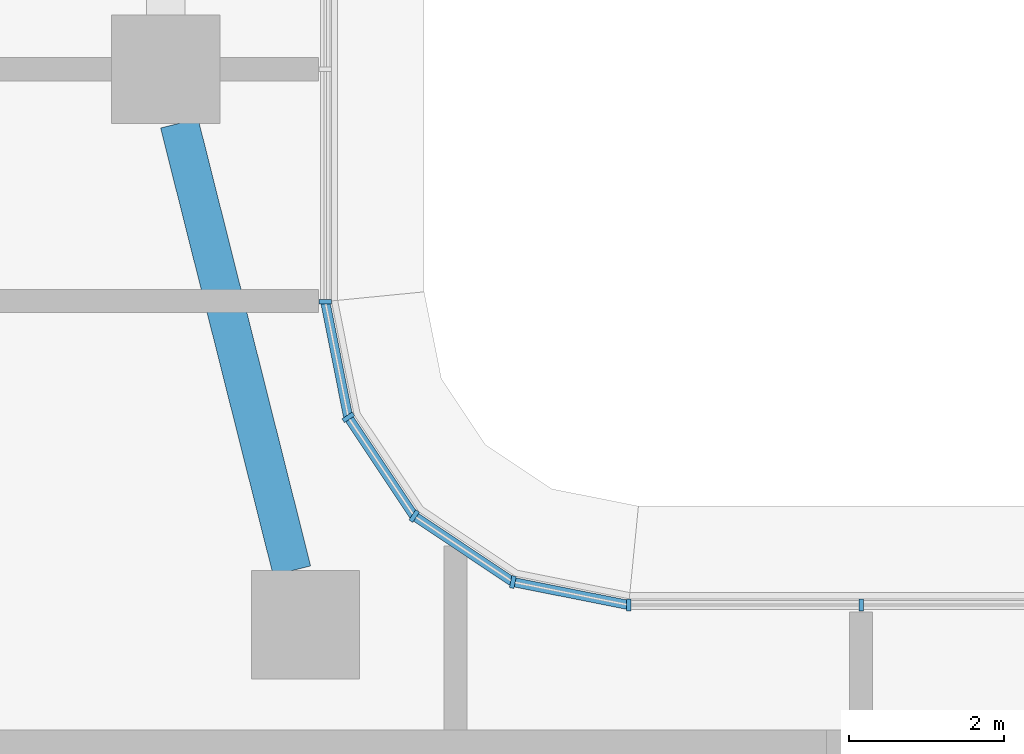
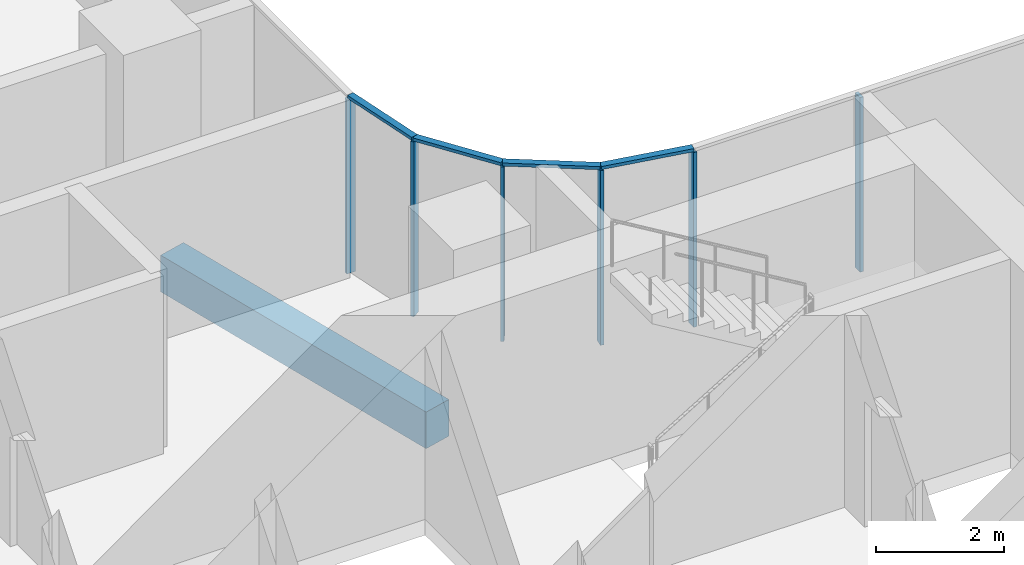
# One storey, part 2 of 36: 10 members, 1 beam, 3 elements without a shape of their own.
"""IFC4 building model written with IfcOpenShell, lengths in metres."""

from ifc_helpers import new_model, si_unit, direction, frame, origin, origin_2d, place, context, subcontext, project, spatial, rectangle, extrude, material, material_profile, profile_set, type_object, element, aggregate, save


model = new_model("IFC4")

# Units and contexts
model_context = context("Model", 3, precision=1e-05, world=origin(), true_north=direction((0.0, 1.0)))
body_context = subcontext(model_context, "Body", "Model", "MODEL_VIEW")
ifc_project = project(units=[si_unit("LENGTHUNIT", "METRE"), si_unit("AREAUNIT", "SQUARE_METRE"), si_unit("VOLUMEUNIT", "CUBIC_METRE"), si_unit("PLANEANGLEUNIT", "RADIAN"), si_unit("MASSUNIT", "GRAM", prefix="KILO")], contexts=[model_context])

# Site, building, storey
site_placement = place(None, origin())
site = spatial("IfcSite", under=ifc_project, at=site_placement, CompositionType="ELEMENT")
building_placement = place(site_placement, origin())
building = spatial("IfcBuilding", under=site, at=building_placement, Name="Ogive Portal Towers", CompositionType="ELEMENT")
storey_placement = place(building_placement, frame((0.0, 0.0, 52.0)))
storey = spatial("IfcBuildingStorey", under=building, at=storey_placement, Name="L11", CompositionType="ELEMENT", Elevation=52.0)

# Curtain wall, members
ifc_material_1 = material(Name="Glass, clear low-iron insulated glazing", Category="glass")
curtain_wall_type = type_object("IfcCurtainWallType", Name="CW FRONT RIBBON 4500", PredefinedType="NOTDEFINED", material=ifc_material_1)
curtain_wall_1_placement = place(storey_placement, origin())
curtain_wall_1 = element("IfcCurtainWall", 1, at=curtain_wall_1_placement, inside=storey, type_object=curtain_wall_type, Name="A:L11:f16:cw0", PredefinedType="NOTDEFINED")
ifc_material_2 = material(Name="Aluminium 6063 anodised", Category="aluminium")
ifc_material_profile_1 = material_profile(ifc_material_2, rectangle(XDim=0.159912109375, YDim=0.06005859375, at=origin_2d()), Name="AL 60x160")
ifc_profile_set_1 = profile_set([ifc_material_profile_1], Name="Aluminium 6063 anodised")
member_type_1 = type_object("IfcMemberType", Name="CW MULLION 60x160", PredefinedType="MULLION", material=ifc_profile_set_1)
member_1_placement = place(storey_placement, frame((58.5, 41.56494140625, 0.0), z_axis=(0.0, 0.0, 1.0), x_axis=(0.0, -1.0, 0.0)))
member_1 = element("IfcMember", 2, at=member_1_placement, type_object=member_type_1, Name="mullion", PredefinedType="MULLION", context=body_context, shape_type="SweptSolid", body=[
    extrude(rectangle(XDim=0.159912109375, YDim=0.06005859375, at=origin_2d()), origin(), (0.0, 0.0, 1.0), 3.340087890625),
])
member_2_placement = place(storey_placement, frame((55.4921875, 41.56494140625, 0.0), z_axis=(0.0, 0.0, 1.0), x_axis=(0.0, -1.0, 0.0)))
member_2 = element("IfcMember", 3, at=member_2_placement, type_object=member_type_1, Name="mullion", PredefinedType="MULLION", context=body_context, shape_type="SweptSolid", body=[
    extrude(rectangle(XDim=0.159912109375, YDim=0.06005859375, at=origin_2d()), origin(), (0.0, 0.0, 1.0), 3.340087890625),
])
aggregate(curtain_wall_1, [member_1, member_2])

# Curtain wall, member
curtain_wall_2_placement = place(storey_placement, origin())
curtain_wall_2 = element("IfcCurtainWall", 4, at=curtain_wall_2_placement, inside=storey, type_object=curtain_wall_type, Name="A:L11:f21:cw0", PredefinedType="NOTDEFINED")
member_3_placement = place(storey_placement, frame((51.56494140625, 45.4921875, 0.0), z_axis=(0.0, 0.0, 1.0), x_axis=(-1.0, 0.0, 0.0)))
member_3 = element("IfcMember", 5, at=member_3_placement, type_object=member_type_1, Name="mullion", PredefinedType="MULLION", context=body_context, shape_type="SweptSolid", body=[
    extrude(rectangle(XDim=0.159912109375, YDim=0.06005859375, at=origin_2d()), origin(), (0.0, 0.0, 1.0), 3.340087890625),
])
aggregate(curtain_wall_2, [member_3])

# Curtain wall, members
curtain_wall_3_placement = place(storey_placement, origin())
curtain_wall_3 = element("IfcCurtainWall", 6, at=curtain_wall_3_placement, inside=storey, type_object=curtain_wall_type, Name="A:L11:f17:cwa", PredefinedType="NOTDEFINED")
member_4_placement = place(storey_placement, frame((53.99365234375, 41.863037109375, 0.0), z_axis=(0.0, 0.0, 1.0), x_axis=(-0.195090322016, -0.980785280403, 0.0)))
member_4 = element("IfcMember", 7, at=member_4_placement, type_object=member_type_1, Name="mullion", PredefinedType="MULLION", context=body_context, shape_type="SweptSolid", body=[
    extrude(rectangle(XDim=0.159912109375, YDim=0.06005859375, at=origin_2d()), origin(), (0.0, 0.0, 1.0), 3.340087890625),
])
member_5_placement = place(storey_placement, frame((52.71630859375, 42.71630859375, 0.0), z_axis=(0.0, 0.0, 1.0), x_axis=(-0.55557023302, -0.831469612303, 0.0)))
member_5 = element("IfcMember", 8, at=member_5_placement, type_object=member_type_1, Name="mullion", PredefinedType="MULLION", context=body_context, shape_type="SweptSolid", body=[
    extrude(rectangle(XDim=0.159912109375, YDim=0.06005859375, at=origin_2d()), origin(), (0.0, 0.0, 1.0), 3.340087890625),
])
member_6_placement = place(storey_placement, frame((51.863037109375, 43.99365234375, 0.0), z_axis=(0.0, 0.0, 1.0), x_axis=(-0.831469612303, -0.55557023302, 0.0)))
member_6 = element("IfcMember", 9, at=member_6_placement, type_object=member_type_1, Name="mullion", PredefinedType="MULLION", context=body_context, shape_type="SweptSolid", body=[
    extrude(rectangle(XDim=0.159912109375, YDim=0.06005859375, at=origin_2d()), origin(), (0.0, 0.0, 1.0), 3.340087890625),
])
ifc_material_profile_2 = material_profile(ifc_material_2, rectangle(XDim=0.1201171875, YDim=0.06005859375, at=origin_2d()), Name="AL 120x60")
ifc_profile_set_2 = profile_set([ifc_material_profile_2], Name="Aluminium 6063 anodised")
member_type_2 = type_object("IfcMemberType", Name="CW TRANSOM 60x120", PredefinedType="USERDEFINED", material=ifc_profile_set_2)
member_7_placement = place(storey_placement, frame((55.4921875, 41.56494140625, 3.3701171875), z_axis=(-0.980782960085, 0.195101986683, 0.0), x_axis=(-0.195101986683, -0.980782960085, 0.0)))
member_7 = element("IfcMember", 10, at=member_7_placement, type_object=member_type_2, Name="transom", ObjectType="TRANSOM", PredefinedType="USERDEFINED", context=body_context, shape_type="SweptSolid", body=[
    extrude(rectangle(XDim=0.1201171875, YDim=0.06005859375, at=origin_2d()), origin(), (0.0, 0.0, 1.0), 1.52783203125),
])
member_8_placement = place(storey_placement, frame((53.99365234375, 41.863037109375, 3.3701171875), z_axis=(-0.831536462619, 0.555470171417, 0.0), x_axis=(-0.555470171417, -0.831536462619, 0.0)))
member_8 = element("IfcMember", 11, at=member_8_placement, type_object=member_type_2, Name="transom", ObjectType="TRANSOM", PredefinedType="USERDEFINED", context=body_context, shape_type="SweptSolid", body=[
    extrude(rectangle(XDim=0.1201171875, YDim=0.06005859375, at=origin_2d()), origin(), (0.0, 0.0, 1.0), 1.5361328125),
])
member_9_placement = place(storey_placement, frame((52.71630859375, 42.71630859375, 3.3701171875), z_axis=(-0.555470171417, 0.831536462619, 0.0), x_axis=(-0.831536462619, -0.555470171417, 0.0)))
member_9 = element("IfcMember", 12, at=member_9_placement, type_object=member_type_2, Name="transom", ObjectType="TRANSOM", PredefinedType="USERDEFINED", context=body_context, shape_type="SweptSolid", body=[
    extrude(rectangle(XDim=0.1201171875, YDim=0.06005859375, at=origin_2d()), origin(), (0.0, 0.0, 1.0), 1.5361328125),
])
member_10_placement = place(storey_placement, frame((51.863037109375, 43.99365234375, 3.3701171875), z_axis=(-0.195101986683, 0.980782960085, 0.0), x_axis=(-0.980782960085, -0.195101986683, 0.0)))
member_10 = element("IfcMember", 13, at=member_10_placement, type_object=member_type_2, Name="transom", ObjectType="TRANSOM", PredefinedType="USERDEFINED", context=body_context, shape_type="SweptSolid", body=[
    extrude(rectangle(XDim=0.1201171875, YDim=0.06005859375, at=origin_2d()), origin(), (0.0, 0.0, 1.0), 1.52783203125),
])
aggregate(curtain_wall_3, [member_7, member_8, member_9, member_10, member_4, member_5, member_6])

# Beam
ifc_material_3 = material(Name="Concrete C40/50", Category="concrete")
ifc_material_profile_3 = material_profile(ifc_material_3, rectangle(XDim=0.5, YDim=0.699951171875, at=origin_2d()), Name="RC 500x700")
ifc_profile_set_3 = profile_set([ifc_material_profile_3], Name="Concrete C40/50")
beam_type = type_object("IfcBeamType", Name="SPANDREL BEAM RC 500x700", PredefinedType="BEAM", material=ifc_profile_set_3)
beam_placement = place(storey_placement, frame((49.67626953125, 47.800048828125, -0.64990234375), z_axis=(0.24411317639, -0.969746748957, 0.0), x_axis=(0.969746748957, 0.24411317639, 0.0)))
element("IfcBeam", 14, at=beam_placement, inside=storey, type_object=beam_type, Name="Spandrel beam L11", PredefinedType="BEAM", context=body_context, shape_type="SweptSolid", body=[
    extrude(rectangle(XDim=0.5, YDim=0.699951171875, at=origin_2d()), origin(), (0.0, 0.0, 1.0), 5.970703125),
])

save(model, "model.ifc")
